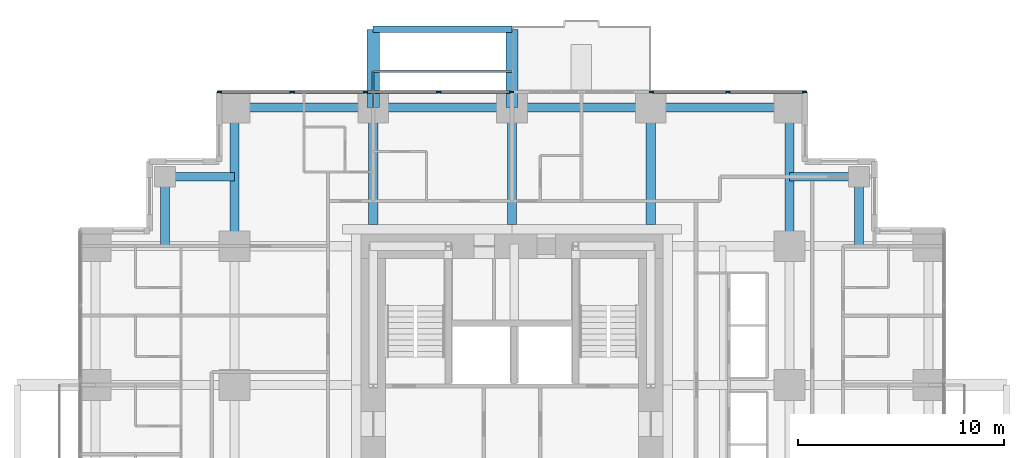
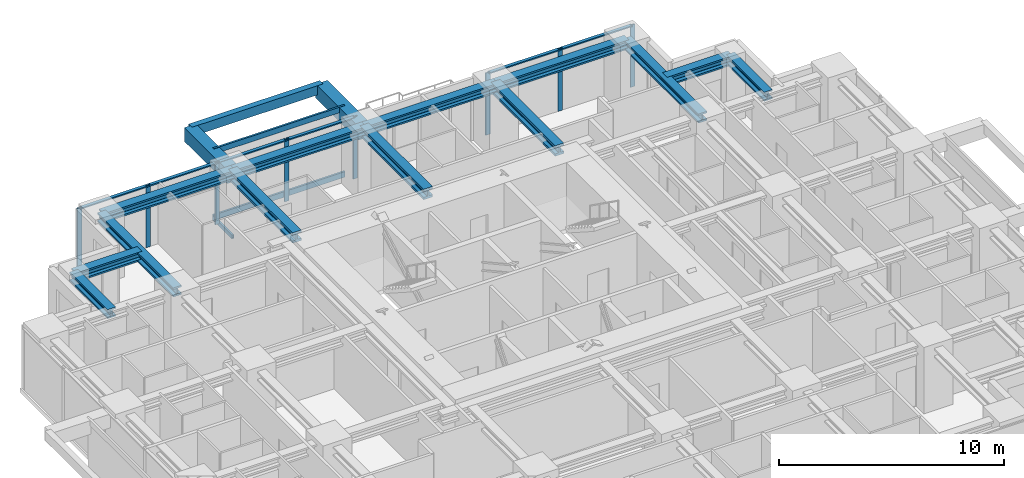
# One storey, part 5 of 12: 17 members, 16 beams, 2 elements without a shape of their own.
"""IFC4 building model written with IfcOpenShell, lengths in metres."""

from ifc_helpers import new_model, si_unit, direction, frame, origin, origin_2d, place, context, subcontext, project, spatial, rectangle, hollow_rectangle, i_section, extrude, material, material_profile, profile_set, type_object, element, aggregate, save


model = new_model("IFC4")

# Units and contexts
model_context = context("Model", 3, precision=1e-05, world=origin(), true_north=direction((0.0, 1.0)))
body_context = subcontext(model_context, "Body", "Model", "MODEL_VIEW")
ifc_project = project(units=[si_unit("LENGTHUNIT", "METRE"), si_unit("AREAUNIT", "SQUARE_METRE"), si_unit("VOLUMEUNIT", "CUBIC_METRE"), si_unit("PLANEANGLEUNIT", "RADIAN"), si_unit("MASSUNIT", "GRAM", prefix="KILO")], contexts=[model_context])

# Site, building, storey
site_placement = place(None, origin())
site = spatial("IfcSite", under=ifc_project, at=site_placement, CompositionType="ELEMENT")
building_placement = place(site_placement, origin())
building = spatial("IfcBuilding", under=site, at=building_placement, Name="Nyansa Garden Tower", CompositionType="ELEMENT")
storey_placement = place(building_placement, frame((0.0, 0.0, 126.89990234375)))
storey = spatial("IfcBuildingStorey", under=building, at=storey_placement, Name="L34", CompositionType="ELEMENT", Elevation=126.89990234375)

# Beams
ifc_material_1 = material(Name="Concrete C70/85", Category="concrete")
ifc_material_profile_1 = material_profile(ifc_material_1, rectangle(XDim=0.60009765625, YDim=0.75, at=origin_2d()), Name="RC 600x750")
ifc_profile_set_1 = profile_set([ifc_material_profile_1], Name="Concrete C70/85")
beam_type_1 = type_object("IfcBeamType", Name="Balcony cantilever beam CB1 RC 600x750", PredefinedType="BEAM", material=ifc_profile_set_1)
for number, where, z_axis, x_axis, name in (
    (1, (13.5, 33.75, 2.985107421875), (0.0, 1.0, 0.0), (-1.0, 0.0, 0.0), "Balcony cantilever beam L35"),
    (2, (20.25, 33.75, 2.985107421875), (0.0, 1.0, 0.0), (-1.0, 0.0, 0.0), "Balcony cantilever beam L35"),
):
    element("IfcBeam", number, at=place(storey_placement, frame(where, z_axis=z_axis, x_axis=x_axis)), inside=storey, type_object=beam_type_1, Name=name, PredefinedType="BEAM", context=body_context, shape_type="SweptSolid", body=[
        extrude(rectangle(XDim=0.60009765625, YDim=0.75, at=origin_2d()), origin(), (0.0, 0.0, 1.0), 3.800048828125),
    ])
ifc_material_2 = material(Name="Concrete C70/85", Category="concrete")
ifc_material_profile_2 = material_profile(ifc_material_2, rectangle(XDim=0.300048828125, YDim=0.5, at=origin_2d()), Name="RC 300x500")
ifc_profile_set_2 = profile_set([ifc_material_profile_2], Name="Concrete C70/85")
beam_type_2 = type_object("IfcBeamType", Name="Balcony edge beam BE1 RC 300x500", PredefinedType="BEAM", material=ifc_profile_set_2)
beam_placement = place(storey_placement, frame((13.5, 37.550048828125, 3.110107421875), z_axis=(1.0, 0.0, 0.0), x_axis=(0.0, 1.0, 0.0)))
element("IfcBeam", 3, at=beam_placement, inside=storey, type_object=beam_type_2, Name="Balcony edge beam L35", PredefinedType="BEAM", context=body_context, shape_type="SweptSolid", body=[
    extrude(rectangle(XDim=0.300048828125, YDim=0.5, at=origin_2d()), origin(), (0.0, 0.0, 1.0), 6.75),
])

# Curtain wall, members
ifc_material_3 = material(Name="Black anodised aluminium, dark tinted double glazing", Category="aluminium")
curtain_wall_type = type_object("IfcCurtainWallType", Name="Inner skin curtain wall ISW-B", PredefinedType="USERDEFINED", material=ifc_material_3)
curtain_wall_1_placement = place(storey_placement, origin())
curtain_wall_1 = element("IfcCurtainWall", 4, at=curtain_wall_1_placement, inside=storey, type_object=curtain_wall_type, Name="Inner skin curtain wall L34 N", ObjectType="UNITISED CURTAIN WALL", PredefinedType="USERDEFINED")
ifc_material_4 = material(Name="Black anodised aluminium", Category="aluminium")
ifc_material_profile_3 = material_profile(ifc_material_4, rectangle(XDim=0.06494140625, YDim=0.22509765625, at=origin_2d()), Name="Mullion 225x65")
ifc_profile_set_3 = profile_set([ifc_material_profile_3], Name="Black anodised aluminium")
member_type_1 = type_object("IfcMemberType", Name="Mullion ISW-B 225x65", PredefinedType="MULLION", material=ifc_profile_set_3)
member_1_placement = place(storey_placement, frame((20.217529296875, 34.5, 0.0), z_axis=(0.0, 0.0, 1.0), x_axis=(0.0, -1.0, 0.0)))
member_1 = element("IfcMember", 5, at=member_1_placement, type_object=member_type_1, Name="ISW-B mullion 1", PredefinedType="MULLION", context=body_context, shape_type="SweptSolid", body=[
    extrude(rectangle(XDim=0.06494140625, YDim=0.22509765625, at=origin_2d()), origin(), (0.0, 0.0, 1.0), 3.375),
])
member_2_placement = place(storey_placement, frame((16.6875, 34.5, 0.0), z_axis=(0.0, 0.0, 1.0), x_axis=(0.0, -1.0, 0.0)))
member_2 = element("IfcMember", 6, at=member_2_placement, type_object=member_type_1, Name="ISW-B mullion 2", PredefinedType="MULLION", context=body_context, shape_type="SweptSolid", body=[
    extrude(rectangle(XDim=0.06494140625, YDim=0.22509765625, at=origin_2d()), origin(), (0.0, 0.0, 1.0), 3.375),
])
member_3_placement = place(storey_placement, frame((13.125, 34.5, 0.0), z_axis=(0.0, 0.0, 1.0), x_axis=(0.0, -1.0, 0.0)))
member_3 = element("IfcMember", 7, at=member_3_placement, type_object=member_type_1, Name="ISW-B mullion 3", PredefinedType="MULLION", context=body_context, shape_type="SweptSolid", body=[
    extrude(rectangle(XDim=0.06494140625, YDim=0.22509765625, at=origin_2d()), origin(), (0.0, 0.0, 1.0), 3.375),
])
member_4_placement = place(storey_placement, frame((9.5625, 34.5, 0.0), z_axis=(0.0, 0.0, 1.0), x_axis=(0.0, -1.0, 0.0)))
member_4 = element("IfcMember", 8, at=member_4_placement, type_object=member_type_1, Name="ISW-B mullion 4", PredefinedType="MULLION", context=body_context, shape_type="SweptSolid", body=[
    extrude(rectangle(XDim=0.06494140625, YDim=0.22509765625, at=origin_2d()), origin(), (0.0, 0.0, 1.0), 3.375),
])
member_5_placement = place(storey_placement, frame((6.032470703125, 34.5, 0.0), z_axis=(0.0, 0.0, 1.0), x_axis=(0.0, -1.0, 0.0)))
member_5 = element("IfcMember", 9, at=member_5_placement, type_object=member_type_1, Name="ISW-B mullion 5", PredefinedType="MULLION", context=body_context, shape_type="SweptSolid", body=[
    extrude(rectangle(XDim=0.06494140625, YDim=0.22509765625, at=origin_2d()), origin(), (0.0, 0.0, 1.0), 3.375),
])

curtain_wall_2_placement = place(storey_placement, origin())
curtain_wall_2 = element("IfcCurtainWall", 10, at=curtain_wall_2_placement, inside=storey, type_object=curtain_wall_type, Name="Inner skin curtain wall L34 N", ObjectType="UNITISED CURTAIN WALL", PredefinedType="USERDEFINED")
member_6_placement = place(storey_placement, frame((34.467529296875, 34.5, 0.0), z_axis=(0.0, 0.0, 1.0), x_axis=(0.0, -1.0, 0.0)))
member_6 = element("IfcMember", 11, at=member_6_placement, type_object=member_type_1, Name="ISW-B mullion 1", PredefinedType="MULLION", context=body_context, shape_type="SweptSolid", body=[
    extrude(rectangle(XDim=0.06494140625, YDim=0.22509765625, at=origin_2d()), origin(), (0.0, 0.0, 1.0), 3.375),
])
member_7_placement = place(storey_placement, frame((30.75, 34.5, 0.0), z_axis=(0.0, 0.0, 1.0), x_axis=(0.0, -1.0, 0.0)))
member_7 = element("IfcMember", 12, at=member_7_placement, type_object=member_type_1, Name="ISW-B mullion 2", PredefinedType="MULLION", context=body_context, shape_type="SweptSolid", body=[
    extrude(rectangle(XDim=0.06494140625, YDim=0.22509765625, at=origin_2d()), origin(), (0.0, 0.0, 1.0), 3.375),
])
member_8_placement = place(storey_placement, frame((27.032470703125, 34.5, 0.0), z_axis=(0.0, 0.0, 1.0), x_axis=(0.0, -1.0, 0.0)))
member_8 = element("IfcMember", 13, at=member_8_placement, type_object=member_type_1, Name="ISW-B mullion 3", PredefinedType="MULLION", context=body_context, shape_type="SweptSolid", body=[
    extrude(rectangle(XDim=0.06494140625, YDim=0.22509765625, at=origin_2d()), origin(), (0.0, 0.0, 1.0), 3.375),
])

# Members
ifc_material_5 = material(Name="Steel S355, black powder coated", Category="steel")
ifc_material_profile_4 = material_profile(ifc_material_5, hollow_rectangle(XDim=0.10009765625, YDim=0.199951171875, WallThickness=0.008056640625, at=origin_2d()), Name="RHS 200x100x8")
ifc_profile_set_4 = profile_set([ifc_material_profile_4], Name="Steel S355, black powder coated")
member_type_2 = type_object("IfcMemberType", Name="Outer skin bracket arm RHS 200x100x8", PredefinedType="USERDEFINED", material=ifc_profile_set_4)
member_9_placement = place(storey_placement, frame((13.5, 33.75, -0.375), z_axis=(0.0, 1.0, 0.0), x_axis=(-1.0, 0.0, 0.0)))
element("IfcMember", 14, at=member_9_placement, inside=storey, type_object=member_type_2, Name="Outer skin bracket arm", ObjectType="OUTER SKIN BRACKET", PredefinedType="USERDEFINED", context=body_context, shape_type="SweptSolid", body=[
    extrude(hollow_rectangle(XDim=0.10009765625, YDim=0.199951171875, WallThickness=0.008056640625, at=origin_2d()), origin(), (0.0, 0.0, 1.0), 1.75),
])
ifc_material_6 = material(Name="Steel S355, black powder coated", Category="steel")
ifc_material_profile_5 = material_profile(ifc_material_6, hollow_rectangle(XDim=0.10009765625, YDim=0.300048828125, WallThickness=0.010009765625, at=origin_2d()), Name="RHS 300x100x10")
ifc_profile_set_5 = profile_set([ifc_material_profile_5], Name="Steel S355, black powder coated")
member_type_3 = type_object("IfcMemberType", Name="Outer skin rail RHS 300x100x10", PredefinedType="USERDEFINED", material=ifc_profile_set_5)
for number, where, z_axis, x_axis, name in (
    (15, (13.5, 35.5, -0.375), (1.0, 0.0, 0.0), (0.0, 1.0, 0.0), "Outer skin rail L34"),
    (16, (13.5, 35.5, 3.22509765625), (1.0, 0.0, 0.0), (0.0, 1.0, 0.0), "Outer skin rail L34 head"),
):
    element("IfcMember", number, at=place(storey_placement, frame(where, z_axis=z_axis, x_axis=x_axis)), inside=storey, type_object=member_type_3, Name=name, ObjectType="OUTER SKIN RAIL", PredefinedType="USERDEFINED", context=body_context, shape_type="SweptSolid", body=[
        extrude(hollow_rectangle(XDim=0.10009765625, YDim=0.300048828125, WallThickness=0.010009765625, at=origin_2d()), origin(), (0.0, 0.0, 1.0), 6.75),
    ])

# Beams
ifc_material_7 = material(Name="Steel S355", Category="steel")
ifc_material_profile_6 = material_profile(ifc_material_7, i_section(OverallWidth=0.431884765625, OverallDepth=0.498046875, WebThickness=0.0556640625, FlangeThickness=0.0888671875, FilletRadius=0.014892578125, at=origin_2d()), Name="HD 400x744")
ifc_profile_set_6 = profile_set([ifc_material_profile_6], Name="Steel S355")
beam_type_3 = type_object("IfcBeamType", Name="Steel beam SBB1-744 HD 400x744", PredefinedType="BEAM", material=ifc_profile_set_6)
for number, where, z_axis, x_axis, name in (
    (17, (6.75, 27.0, 3.1259765625), (0.0, 1.0, 0.0), (-1.0, 0.0, 0.0), "Steel beam 3/H-3/J L35"),
    (18, (33.75, 27.0, 3.1259765625), (0.0, 1.0, 0.0), (-1.0, 0.0, 0.0), "Steel beam 7/H-7/J L35"),
):
    element("IfcBeam", number, at=place(storey_placement, frame(where, z_axis=z_axis, x_axis=x_axis)), inside=storey, type_object=beam_type_3, Name=name, PredefinedType="BEAM", context=body_context, shape_type="SweptSolid", body=[
        extrude(i_section(OverallWidth=0.431884765625, OverallDepth=0.498046875, WebThickness=0.0556640625, FlangeThickness=0.0888671875, FilletRadius=0.014892578125, at=origin_2d()), origin(), (0.0, 0.0, 1.0), 6.75),
    ])
ifc_material_8 = material(Name="Steel S355", Category="steel")
ifc_material_profile_7 = material_profile(ifc_material_8, i_section(OverallWidth=0.4541015625, OverallDepth=0.569091796875, WebThickness=0.077880859375, FlangeThickness=0.125, FilletRadius=0.014892578125, at=origin_2d()), Name="HD 400x1086")
ifc_profile_set_7 = profile_set([ifc_material_profile_7], Name="Steel S355")
beam_type_4 = type_object("IfcBeamType", Name="Steel beam SCL-1086 HD 400x1086", PredefinedType="BEAM", material=ifc_profile_set_7)
for number, where, z_axis, x_axis, name in (
    (19, (13.5, 28.050048828125, 3.090576171875), (0.0, 1.0, 0.0), (-1.0, 0.0, 0.0), "Steel beam 4/28.050-4/J L35"),
    (20, (20.25, 28.050048828125, 3.090576171875), (0.0, 1.0, 0.0), (-1.0, 0.0, 0.0), "Steel beam 5/28.050-5/J L35"),
    (21, (27.0, 28.050048828125, 3.090576171875), (0.0, 1.0, 0.0), (-1.0, 0.0, 0.0), "Steel beam 6/28.050-6/J L35"),
):
    element("IfcBeam", number, at=place(storey_placement, frame(where, z_axis=z_axis, x_axis=x_axis)), inside=storey, type_object=beam_type_4, Name=name, PredefinedType="BEAM", context=body_context, shape_type="SweptSolid", body=[
        extrude(i_section(OverallWidth=0.4541015625, OverallDepth=0.569091796875, WebThickness=0.077880859375, FlangeThickness=0.125, FilletRadius=0.014892578125, at=origin_2d()), origin(), (0.0, 0.0, 1.0), 5.699951171875),
    ])
ifc_material_9 = material(Name="Steel S355", Category="steel")
ifc_material_profile_8 = material_profile(ifc_material_9, i_section(OverallWidth=0.431884765625, OverallDepth=0.498046875, WebThickness=0.0556640625, FlangeThickness=0.0888671875, FilletRadius=0.014892578125, at=origin_2d()), Name="HD 400x744")
ifc_profile_set_8 = profile_set([ifc_material_profile_8], Name="Steel S355")
beam_type_5 = type_object("IfcBeamType", Name="Steel beam SEBB-744 HD 400x744", PredefinedType="BEAM", material=ifc_profile_set_8)
for number, where, z_axis, x_axis, name in (
    (22, (6.75, 33.75, 3.1259765625), (1.0, 0.0, 0.0), (0.0, 1.0, 0.0), "Steel edge beam 3/J-4/J L35"),
    (23, (13.5, 33.75, 3.1259765625), (1.0, 0.0, 0.0), (0.0, 1.0, 0.0), "Steel edge beam 4/J-5/J L35"),
    (24, (20.25, 33.75, 3.1259765625), (1.0, 0.0, 0.0), (0.0, 1.0, 0.0), "Steel edge beam 5/J-6/J L35"),
    (25, (27.0, 33.75, 3.1259765625), (1.0, 0.0, 0.0), (0.0, 1.0, 0.0), "Steel edge beam 6/J-7/J L35"),
):
    element("IfcBeam", number, at=place(storey_placement, frame(where, z_axis=z_axis, x_axis=x_axis)), inside=storey, type_object=beam_type_5, Name=name, PredefinedType="BEAM", context=body_context, shape_type="SweptSolid", body=[
        extrude(i_section(OverallWidth=0.431884765625, OverallDepth=0.498046875, WebThickness=0.0556640625, FlangeThickness=0.0888671875, FilletRadius=0.014892578125, at=origin_2d()), origin(), (0.0, 0.0, 1.0), 6.75),
    ])
ifc_material_10 = material(Name="Steel S355", Category="steel")
ifc_material_profile_9 = material_profile(ifc_material_10, i_section(OverallWidth=0.431884765625, OverallDepth=0.498046875, WebThickness=0.0556640625, FlangeThickness=0.0888671875, FilletRadius=0.014892578125, at=origin_2d()), Name="HD 400x744")
ifc_profile_set_9 = profile_set([ifc_material_profile_9], Name="Steel S355")
beam_type_6 = type_object("IfcBeamType", Name="Steel beam SSB1-744 HD 400x744", PredefinedType="BEAM", material=ifc_profile_set_9)
for number, where, z_axis, x_axis, name in (
    (26, (37.125, 30.375, 3.1259765625), (0.0, -1.0, 0.0), (1.0, 0.0, 0.0), "Steel step beam 37.125/30.375 L35"),
    (27, (37.125, 30.375, 3.1259765625), (-1.0, 0.0, 0.0), (0.0, -1.0, 0.0), "Steel step beam 37.125/30.375 L35"),
    (28, (3.375, 30.375, 3.1259765625), (0.0, -1.0, 0.0), (1.0, 0.0, 0.0), "Steel step beam 3.375/30.375 L35"),
    (29, (3.375, 30.375, 3.1259765625), (1.0, 0.0, 0.0), (0.0, 1.0, 0.0), "Steel step beam 3.375/30.375 L35"),
):
    element("IfcBeam", number, at=place(storey_placement, frame(where, z_axis=z_axis, x_axis=x_axis)), inside=storey, type_object=beam_type_6, Name=name, PredefinedType="BEAM", context=body_context, shape_type="SweptSolid", body=[
        extrude(i_section(OverallWidth=0.431884765625, OverallDepth=0.498046875, WebThickness=0.0556640625, FlangeThickness=0.0888671875, FilletRadius=0.014892578125, at=origin_2d()), origin(), (0.0, 0.0, 1.0), 3.375),
    ])

# Member
ifc_material_11 = material(Name="Black anodised aluminium", Category="aluminium")
ifc_material_profile_10 = material_profile(ifc_material_11, rectangle(XDim=0.1650390625, YDim=0.06494140625, at=origin_2d()), Name="Transom 165x65")
ifc_profile_set_10 = profile_set([ifc_material_profile_10], Name="Black anodised aluminium")
member_type_4 = type_object("IfcMemberType", Name="Transom ISW-B 165x65", PredefinedType="USERDEFINED", material=ifc_profile_set_10)
member_10_placement = place(storey_placement, frame((20.18505859375, 34.5, 3.342529296875), z_axis=(-1.0, 0.0, 0.0), x_axis=(0.0, -1.0, 0.0)))
member_10 = element("IfcMember", 30, at=member_10_placement, type_object=member_type_4, Name="ISW-B transom 1", ObjectType="TRANSOM", PredefinedType="USERDEFINED", context=body_context, shape_type="SweptSolid", body=[
    extrude(rectangle(XDim=0.1650390625, YDim=0.06494140625, at=origin_2d()), origin(), (0.0, 0.0, 1.0), 3.465087890625),
])

member_11_placement = place(storey_placement, frame((16.655029296875, 34.5, 3.342529296875), z_axis=(-1.0, 0.0, 0.0), x_axis=(0.0, -1.0, 0.0)))
member_11 = element("IfcMember", 31, at=member_11_placement, type_object=member_type_4, Name="ISW-B transom 2", ObjectType="TRANSOM", PredefinedType="USERDEFINED", context=body_context, shape_type="SweptSolid", body=[
    extrude(rectangle(XDim=0.1650390625, YDim=0.06494140625, at=origin_2d()), origin(), (0.0, 0.0, 1.0), 3.49755859375),
])

member_12_placement = place(storey_placement, frame((13.092529296875, 34.5, 3.342529296875), z_axis=(-1.0, 0.0, 0.0), x_axis=(0.0, -1.0, 0.0)))
member_12 = element("IfcMember", 32, at=member_12_placement, type_object=member_type_4, Name="ISW-B transom 3", ObjectType="TRANSOM", PredefinedType="USERDEFINED", context=body_context, shape_type="SweptSolid", body=[
    extrude(rectangle(XDim=0.1650390625, YDim=0.06494140625, at=origin_2d()), origin(), (0.0, 0.0, 1.0), 3.49755859375),
])

member_13_placement = place(storey_placement, frame((9.530029296875, 34.5, 3.342529296875), z_axis=(-1.0, 0.0, 0.0), x_axis=(0.0, -1.0, 0.0)))
member_13 = element("IfcMember", 33, at=member_13_placement, type_object=member_type_4, Name="ISW-B transom 4", ObjectType="TRANSOM", PredefinedType="USERDEFINED", context=body_context, shape_type="SweptSolid", body=[
    extrude(rectangle(XDim=0.1650390625, YDim=0.06494140625, at=origin_2d()), origin(), (0.0, 0.0, 1.0), 3.465087890625),
])

aggregate(curtain_wall_1, [member_1, member_2, member_3, member_4, member_5, member_10, member_11, member_12, member_13])

member_14_placement = place(storey_placement, frame((34.43505859375, 34.5, 3.342529296875), z_axis=(-1.0, 0.0, 0.0), x_axis=(0.0, -1.0, 0.0)))
member_14 = element("IfcMember", 34, at=member_14_placement, type_object=member_type_4, Name="ISW-B transom 1", ObjectType="TRANSOM", PredefinedType="USERDEFINED", context=body_context, shape_type="SweptSolid", body=[
    extrude(rectangle(XDim=0.1650390625, YDim=0.06494140625, at=origin_2d()), origin(), (0.0, 0.0, 1.0), 3.652587890625),
])

member_15_placement = place(storey_placement, frame((30.717529296875, 34.5, 3.342529296875), z_axis=(-1.0, 0.0, 0.0), x_axis=(0.0, -1.0, 0.0)))
member_15 = element("IfcMember", 35, at=member_15_placement, type_object=member_type_4, Name="ISW-B transom 2", ObjectType="TRANSOM", PredefinedType="USERDEFINED", context=body_context, shape_type="SweptSolid", body=[
    extrude(rectangle(XDim=0.1650390625, YDim=0.06494140625, at=origin_2d()), origin(), (0.0, 0.0, 1.0), 3.652587890625),
])

aggregate(curtain_wall_2, [member_6, member_7, member_8, member_14, member_15])

save(model, "model.ifc")
